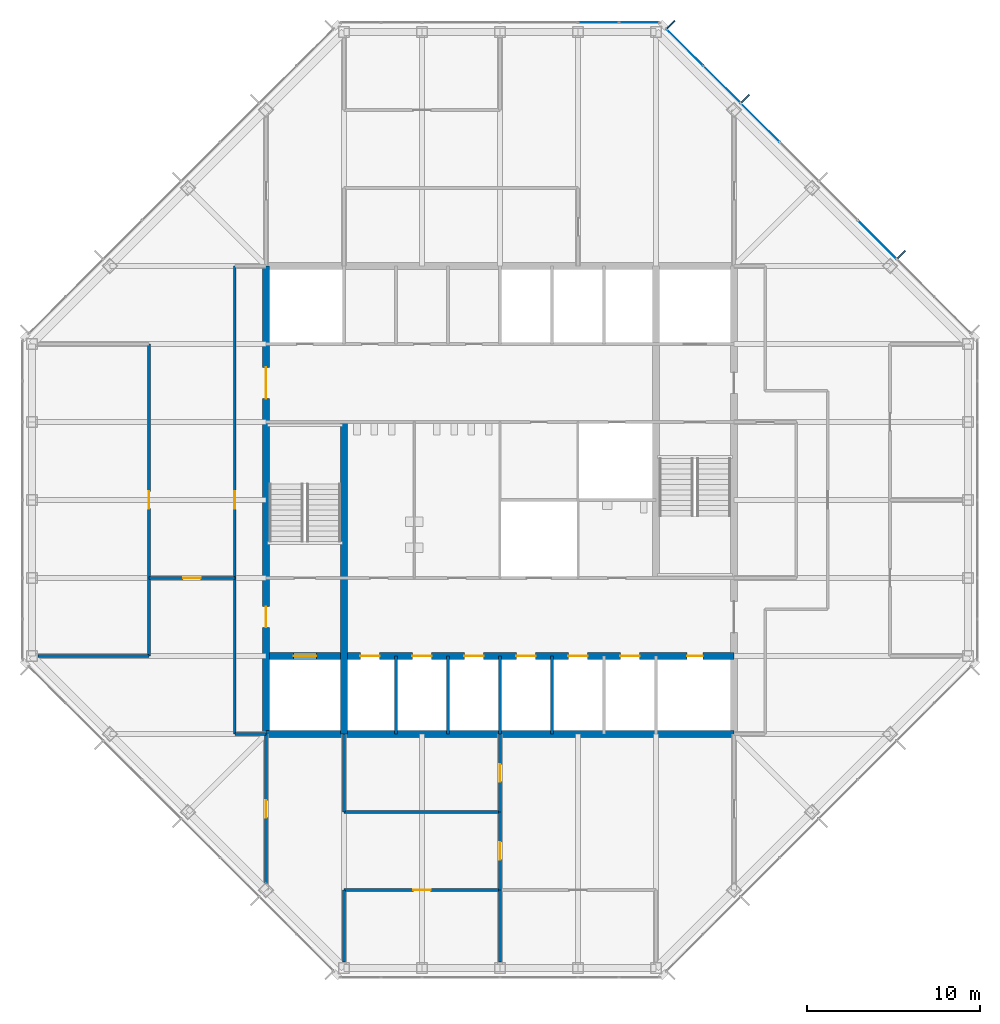
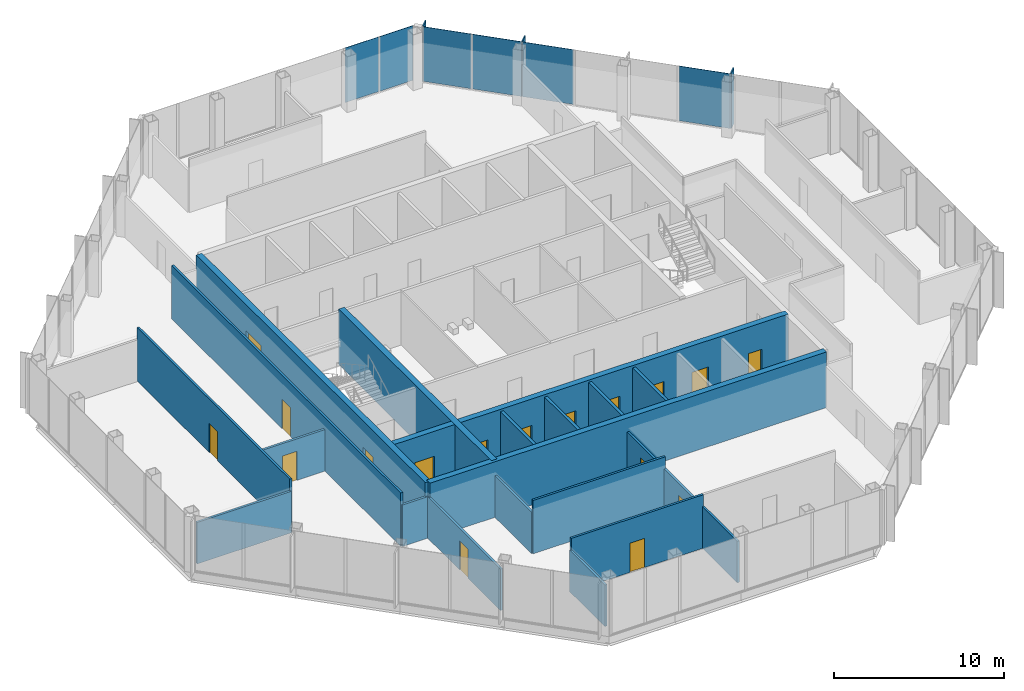
# One storey, part 9 of 13: 21 walls, 17 doors, 9 plates, 17 openings, 2 elements without a shape of their own.
"""IFC4 building model written with IfcOpenShell, lengths in metres."""

from ifc_helpers import new_model, si_unit, direction, frame, frame_2d, origin, origin_2d, place, context, subcontext, project, spatial, rectangle, extrude, material, layer, layer_set, type_object, element, fill, aggregate, save


model = new_model("IFC4")

# Units and contexts
model_context = context("Model", 3, precision=1e-05, world=origin(), true_north=direction((0.0, 1.0)))
body_context = subcontext(model_context, "Body", "Model", "MODEL_VIEW")
ifc_project = project(units=[si_unit("LENGTHUNIT", "METRE"), si_unit("AREAUNIT", "SQUARE_METRE"), si_unit("VOLUMEUNIT", "CUBIC_METRE"), si_unit("PLANEANGLEUNIT", "RADIAN"), si_unit("MASSUNIT", "GRAM", prefix="KILO")], contexts=[model_context])

# Site, building, storey
site_placement = place(None, origin())
site = spatial("IfcSite", under=ifc_project, at=site_placement, CompositionType="ELEMENT")
building_placement = place(site_placement, origin())
building = spatial("IfcBuilding", under=site, at=building_placement, Name="Corais Broadcast Tower", CompositionType="ELEMENT")
storey_placement = place(building_placement, frame((0.0, 0.0, 210.60009765625)))
storey = spatial("IfcBuildingStorey", under=building, at=storey_placement, Name="L48", CompositionType="ELEMENT", Elevation=210.60009765625)

# Curtain wall, plate
ifc_material_1 = material(Name="Aluminium and glass", Category="aluminium")
curtain_wall_type = type_object("IfcCurtainWallType", Name="Unitised fritted curtain wall CW3", PredefinedType="NOTDEFINED", material=ifc_material_1)
curtain_wall_1_placement = place(storey_placement, origin())
curtain_wall_1 = element("IfcCurtainWall", 1, at=curtain_wall_1_placement, inside=storey, type_object=curtain_wall_type, Name="CW3 curtain wall L48 4", PredefinedType="NOTDEFINED")
ifc_material_2 = material(Name="Ceramic-fritted laminated glass", Category="glass")
ifc_layer_1 = layer(ifc_material_2, 0.02587890625)
ifc_layer_set_1 = layer_set([ifc_layer_1], Name="Ceramic-fritted laminated glass")
plate_type_1 = type_object("IfcPlateType", Name="Fritted glass panel CW3", PredefinedType="CURTAIN_PANEL", material=ifc_layer_set_1)
plate_1_placement = place(storey_placement, frame((32.681884765625, 54.550048828125, 0.06494140625), z_axis=(0.0, 0.0, 1.0), x_axis=(1.0, 0.0, 0.0)))
plate_1 = element("IfcPlate", 2, at=plate_1_placement, type_object=plate_type_1, Name="CW3 panel 5", PredefinedType="CURTAIN_PANEL", context=body_context, shape_type="SweptSolid", body=[
    extrude(rectangle(XDim=2.298828125, YDim=0.02587890625, at=origin_2d()), origin(), (0.0, 0.0, 1.0), 3.93505859375),
])

# Curtain wall, plates
curtain_wall_2_placement = place(storey_placement, origin())
curtain_wall_2 = element("IfcCurtainWall", 3, at=curtain_wall_2_placement, inside=storey, type_object=curtain_wall_type, Name="CW3 curtain wall L48 5", PredefinedType="NOTDEFINED")
plate_2_placement = place(storey_placement, frame((37.669677734375, 53.108154296875, 0.06494140625), z_axis=(0.0, 0.0, 1.0), x_axis=(0.707106781187, -0.707106781187, 0.0)))
plate_2 = element("IfcPlate", 4, at=plate_2_placement, type_object=plate_type_1, Name="CW3 panel 1", PredefinedType="CURTAIN_PANEL", context=body_context, shape_type="SweptSolid", body=[
    extrude(rectangle(XDim=2.9482421875, YDim=0.02587890625, at=origin_2d()), origin(), (0.0, 0.0, 1.0), 3.93505859375),
])
plate_3_placement = place(storey_placement, frame((42.013916015625, 48.763916015625, 0.06494140625), z_axis=(0.0, 0.0, 1.0), x_axis=(0.707106781187, -0.707106781187, 0.0)))
plate_3 = element("IfcPlate", 5, at=plate_3_placement, type_object=plate_type_1, Name="CW3 panel 3", PredefinedType="CURTAIN_PANEL", context=body_context, shape_type="SweptSolid", body=[
    extrude(rectangle(XDim=3.116943359375, YDim=0.02587890625, at=origin_2d()), origin(), (0.0, 0.0, 1.0), 3.93505859375),
])

# Plate
ifc_material_3 = material(Name="Clear laminated glass", Category="glass")
ifc_layer_2 = layer(ifc_material_3, 0.030029296875)
ifc_layer_set_2 = layer_set([ifc_layer_2], Name="Clear laminated glass")
plate_type_2 = type_object("IfcPlateType", Name="Operable glass panel CW3", PredefinedType="CURTAIN_PANEL", material=ifc_layer_set_2)
plate_4_placement = place(storey_placement, frame((35.029541015625, 54.550048828125, 0.06494140625), z_axis=(0.0, 0.0, 1.0), x_axis=(1.0, 0.0, 0.0)))
plate_4 = element("IfcPlate", 6, at=plate_4_placement, type_object=plate_type_2, Name="CW3 operable panel 6", PredefinedType="CURTAIN_PANEL", context=body_context, shape_type="SweptSolid", body=[
    extrude(rectangle(XDim=2.266357421875, YDim=0.030029296875, at=origin_2d()), origin(), (0.0, 0.0, 1.0), 3.93505859375),
])

aggregate(curtain_wall_1, [plate_1, plate_4])

plate_5_placement = place(storey_placement, frame((39.81201171875, 50.9658203125, 0.06494140625), z_axis=(0.0, 0.0, 1.0), x_axis=(0.707106781187, -0.707106781187, 0.0)))
plate_5 = element("IfcPlate", 7, at=plate_5_placement, type_object=plate_type_2, Name="CW3 operable panel 2", PredefinedType="CURTAIN_PANEL", context=body_context, shape_type="SweptSolid", body=[
    extrude(rectangle(XDim=2.98095703125, YDim=0.030029296875, at=origin_2d()), origin(), (0.0, 0.0, 1.0), 3.93505859375),
])

plate_6_placement = place(storey_placement, frame((48.763916015625, 42.013916015625, 0.06494140625), z_axis=(0.0, 0.0, 1.0), x_axis=(0.707106781187, -0.707106781187, 0.0)))
plate_6 = element("IfcPlate", 8, at=plate_6_placement, type_object=plate_type_2, Name="CW3 operable panel 6", PredefinedType="CURTAIN_PANEL", context=body_context, shape_type="SweptSolid", body=[
    extrude(rectangle(XDim=3.116943359375, YDim=0.030029296875, at=origin_2d()), origin(), (0.0, 0.0, 1.0), 3.93505859375),
])

aggregate(curtain_wall_2, [plate_2, plate_5, plate_3, plate_6])

# Plates
ifc_material_4 = material(Name="Granite stone cladding", Category="masonry")
ifc_layer_3 = layer(ifc_material_4, 0.080078125)
ifc_layer_set_3 = layer_set([ifc_layer_3], Name="Granite stone cladding")
plate_type_3 = type_object("IfcPlateType", Name="Stone screen fin 80x600", PredefinedType="USERDEFINED", material=ifc_layer_set_3)
for number, where, z_axis, x_axis, name in (
    (9, (36.870849609375, 54.43994140625, 0.0), (0.0, 0.0, 1.0), (0.707106781187, -0.707106781187, 0.0), "SF1 stone screen fin L48"),
    (10, (41.155517578125, 50.155517578125, 0.0), (0.0, 0.0, 1.0), (0.707106781187, -0.707106781187, 0.0), "SF1 stone screen fin L48"),
    (11, (50.155517578125, 41.155517578125, 0.0), (0.0, 0.0, 1.0), (0.707106781187, -0.707106781187, 0.0), "SF1 stone screen fin L48"),
):
    element("IfcPlate", number, at=place(storey_placement, frame(where, z_axis=z_axis, x_axis=x_axis)), inside=storey, type_object=plate_type_3, Name=name, ObjectType="STONE SCREEN FIN", PredefinedType="USERDEFINED", context=body_context, shape_type="SweptSolid", body=[
        extrude(rectangle(XDim=0.080078125, YDim=0.60009765625, at=origin_2d()), origin(), (0.0, 0.0, 1.0), 4.0),
    ])

# Wall
ifc_material_5 = material(Name="Concrete C50/60", Category="concrete")
ifc_layer_4 = layer(ifc_material_5, 0.39990234375)
ifc_layer_set_4 = layer_set([ifc_layer_4], Name="Concrete C50/60")
wall_type_1 = type_object("IfcWallType", Name="Core wall 400", PredefinedType="SHEAR", material=ifc_layer_set_4)
wall_1_placement = place(storey_placement, frame((13.5, 13.5, 0.0), z_axis=(0.0, 0.0, 1.0), x_axis=(1.0, 0.0, 0.0)))
element("IfcWall", 12, at=wall_1_placement, inside=storey, type_object=wall_type_1, Name="CR400 core wall S L48", PredefinedType="SHEAR", context=body_context, shape_type="SweptSolid", body=[
    extrude(rectangle(XDim=27.0, YDim=0.39990234375, at=frame_2d((13.5, 0.0))), origin(), (0.0, 0.0, 1.0), 4.0),
])

# Wall, openings, doors
wall_2_placement = place(storey_placement, frame((13.5, 40.5, 0.0), z_axis=(0.0, 0.0, 1.0), x_axis=(0.0, -1.0, 0.0)))
wall_2 = element("IfcWall", 13, at=wall_2_placement, inside=storey, type_object=wall_type_1, Name="CR400 core wall W L48", PredefinedType="SHEAR", context=body_context, shape_type="SweptSolid", body=[
    extrude(rectangle(XDim=27.0, YDim=0.39990234375, at=frame_2d((13.5, 0.0))), origin(), (0.0, 0.0, 1.0), 4.0),
])
opening_1_placement = place(wall_2_placement, frame((19.64990234375, 0.0, 0.0)))
opening_1 = element("IfcOpeningElement", 14, at=opening_1_placement, cuts=wall_2, Name="Opening FD1", PredefinedType="OPENING", context=body_context, shape_type="SweptSolid", body=[
    extrude(rectangle(XDim=1.199951171875, YDim=2.10009765625, at=frame_2d((0.60009765625, 1.050048828125))), frame((0.0, 0.2099609375, 0.0), z_axis=(0.0, -1.0, 0.0), x_axis=(1.0, 0.0, 0.0)), (0.0, 0.0, 1.0), 0.419921875),
])
opening_2_placement = place(wall_2_placement, frame((5.85009765625, 0.0, 0.0)))
opening_2 = element("IfcOpeningElement", 15, at=opening_2_placement, cuts=wall_2, Name="Opening FD2", PredefinedType="OPENING", context=body_context, shape_type="SweptSolid", body=[
    extrude(rectangle(XDim=1.800048828125, YDim=2.10009765625, at=frame_2d((0.89990234375, 1.050048828125))), frame((0.0, 0.2099609375, 0.0), z_axis=(0.0, -1.0, 0.0), x_axis=(1.0, 0.0, 0.0)), (0.0, 0.0, 1.0), 0.419921875),
])
ifc_material_6 = material(Name="Steel fire door", Category="steel")
door_type_1 = type_object("IfcDoorType", Name="Fire door 1200x2100", OperationType="SINGLE_SWING_LEFT", PredefinedType="DOOR", material=ifc_material_6)
door_1_placement = place(opening_1_placement, origin())
door_1 = element("IfcDoor", 16, at=door_1_placement, inside=storey, type_object=door_type_1, Name="FD1 fire lobby A door L48", OperationType="SINGLE_SWING_RIGHT", OverallHeight=2.10009765625, OverallWidth=1.199951171875, PredefinedType="DOOR", context=body_context, shape_type="SweptSolid", body=[
    extrude(rectangle(XDim=1.199951171875, YDim=2.10009765625, at=frame_2d((0.60009765625, 1.050048828125))), frame((0.0, 0.02490234375, 0.0), z_axis=(0.0, -1.0, 0.0), x_axis=(1.0, 0.0, 0.0)), (0.0, 0.0, 1.0), 0.050048828125),
])
fill(opening_1, door_1)
ifc_material_7 = material(Name="Steel fire door", Category="steel")
door_type_2 = type_object("IfcDoorType", Name="Fire door pair 1800x2100", OperationType="DOUBLE_DOOR_SINGLE_SWING", PredefinedType="DOOR", material=ifc_material_7)
door_2_placement = place(opening_2_placement, origin())
door_2 = element("IfcDoor", 17, at=door_2_placement, inside=storey, type_object=door_type_2, Name="FD2 lift lobby door L48", OperationType="SINGLE_SWING_LEFT", OverallHeight=2.10009765625, OverallWidth=1.800048828125, PredefinedType="DOOR", context=body_context, shape_type="SweptSolid", body=[
    extrude(rectangle(XDim=1.800048828125, YDim=2.10009765625, at=frame_2d((0.89990234375, 1.050048828125))), frame((0.0, 0.02490234375, 0.0), z_axis=(0.0, -1.0, 0.0), x_axis=(1.0, 0.0, 0.0)), (0.0, 0.0, 1.0), 0.050048828125),
])
fill(opening_2, door_2)

# Wall
wall_3_placement = place(storey_placement, frame((18.0, 13.5, 0.0), z_axis=(0.0, 0.0, 1.0), x_axis=(0.0, 1.0, 0.0)))
element("IfcWall", 18, at=wall_3_placement, inside=storey, type_object=wall_type_1, Name="CR400 core wall X18A L48", PredefinedType="SHEAR", context=body_context, shape_type="SweptSolid", body=[
    extrude(rectangle(XDim=18.0, YDim=0.39990234375, at=frame_2d((9.0, 0.0))), origin(), (0.0, 0.0, 1.0), 4.0),
])

# Wall, openings, doors
wall_4_placement = place(storey_placement, frame((13.5, 18.0, 0.0), z_axis=(0.0, 0.0, 1.0), x_axis=(1.0, 0.0, 0.0)))
wall_4 = element("IfcWall", 19, at=wall_4_placement, inside=storey, type_object=wall_type_1, Name="CR400 core wall Y18 L48", PredefinedType="SHEAR", context=body_context, shape_type="SweptSolid", body=[
    extrude(rectangle(XDim=27.0, YDim=0.39990234375, at=frame_2d((13.5, 0.0))), origin(), (0.0, 0.0, 1.0), 4.0),
])
opening_3_placement = place(wall_4_placement, frame((24.300048828125, 0.0, 0.0)))
opening_3 = element("IfcOpeningElement", 20, at=opening_3_placement, cuts=wall_4, Name="Opening RD1", PredefinedType="OPENING", context=body_context, shape_type="SweptSolid", body=[
    extrude(rectangle(XDim=0.89990234375, YDim=2.10009765625, at=frame_2d((0.449951171875, 1.050048828125))), frame((0.0, 0.2099609375, 0.0), z_axis=(0.0, -1.0, 0.0), x_axis=(1.0, 0.0, 0.0)), (0.0, 0.0, 1.0), 0.419921875),
])
opening_4_placement = place(wall_4_placement, frame((5.449951171875, 0.0, 0.0)))
opening_4 = element("IfcOpeningElement", 21, at=opening_4_placement, cuts=wall_4, Name="Opening LD1", PredefinedType="OPENING", context=body_context, shape_type="SweptSolid", body=[
    extrude(rectangle(XDim=1.10009765625, YDim=2.10009765625, at=frame_2d((0.550048828125, 1.050048828125))), frame((0.0, 0.2099609375, 0.0), z_axis=(0.0, -1.0, 0.0), x_axis=(1.0, 0.0, 0.0)), (0.0, 0.0, 1.0), 0.419921875),
])
opening_5_placement = place(wall_4_placement, frame((8.449951171875, 0.0, 0.0)))
opening_5 = element("IfcOpeningElement", 22, at=opening_5_placement, cuts=wall_4, Name="Opening LD1", PredefinedType="OPENING", context=body_context, shape_type="SweptSolid", body=[
    extrude(rectangle(XDim=1.10009765625, YDim=2.10009765625, at=frame_2d((0.550048828125, 1.050048828125))), frame((0.0, 0.2099609375, 0.0), z_axis=(0.0, -1.0, 0.0), x_axis=(1.0, 0.0, 0.0)), (0.0, 0.0, 1.0), 0.419921875),
])
opening_6_placement = place(wall_4_placement, frame((11.449951171875, 0.0, 0.0)))
opening_6 = element("IfcOpeningElement", 23, at=opening_6_placement, cuts=wall_4, Name="Opening LD1", PredefinedType="OPENING", context=body_context, shape_type="SweptSolid", body=[
    extrude(rectangle(XDim=1.10009765625, YDim=2.10009765625, at=frame_2d((0.550048828125, 1.050048828125))), frame((0.0, 0.2099609375, 0.0), z_axis=(0.0, -1.0, 0.0), x_axis=(1.0, 0.0, 0.0)), (0.0, 0.0, 1.0), 0.419921875),
])
opening_7_placement = place(wall_4_placement, frame((14.449951171875, 0.0, 0.0)))
opening_7 = element("IfcOpeningElement", 24, at=opening_7_placement, cuts=wall_4, Name="Opening LD1", PredefinedType="OPENING", context=body_context, shape_type="SweptSolid", body=[
    extrude(rectangle(XDim=1.10009765625, YDim=2.10009765625, at=frame_2d((0.550048828125, 1.050048828125))), frame((0.0, 0.2099609375, 0.0), z_axis=(0.0, -1.0, 0.0), x_axis=(1.0, 0.0, 0.0)), (0.0, 0.0, 1.0), 0.419921875),
])
opening_8_placement = place(wall_4_placement, frame((17.449951171875, 0.0, 0.0)))
opening_8 = element("IfcOpeningElement", 25, at=opening_8_placement, cuts=wall_4, Name="Opening LD1", PredefinedType="OPENING", context=body_context, shape_type="SweptSolid", body=[
    extrude(rectangle(XDim=1.10009765625, YDim=2.10009765625, at=frame_2d((0.550048828125, 1.050048828125))), frame((0.0, 0.2099609375, 0.0), z_axis=(0.0, -1.0, 0.0), x_axis=(1.0, 0.0, 0.0)), (0.0, 0.0, 1.0), 0.419921875),
])
opening_9_placement = place(wall_4_placement, frame((20.449951171875, 0.0, 0.0)))
opening_9 = element("IfcOpeningElement", 26, at=opening_9_placement, cuts=wall_4, Name="Opening LD1", PredefinedType="OPENING", context=body_context, shape_type="SweptSolid", body=[
    extrude(rectangle(XDim=1.10009765625, YDim=2.10009765625, at=frame_2d((0.550048828125, 1.050048828125))), frame((0.0, 0.2099609375, 0.0), z_axis=(0.0, -1.0, 0.0), x_axis=(1.0, 0.0, 0.0)), (0.0, 0.0, 1.0), 0.419921875),
])
opening_10_placement = place(wall_4_placement, frame((1.60009765625, 0.0, 0.0)))
opening_10 = element("IfcOpeningElement", 27, at=opening_10_placement, cuts=wall_4, Name="Opening LD2", PredefinedType="OPENING", context=body_context, shape_type="SweptSolid", body=[
    extrude(rectangle(XDim=1.300048828125, YDim=2.199951171875, at=frame_2d((0.64990234375, 1.10009765625))), frame((0.0, 0.2099609375, 0.0), z_axis=(0.0, -1.0, 0.0), x_axis=(1.0, 0.0, 0.0)), (0.0, 0.0, 1.0), 0.419921875),
])
ifc_material_8 = material(Name="Stainless steel lift door", Category="steel")
door_type_3 = type_object("IfcDoorType", Name="Lift landing door 1100x2100", OperationType="SLIDING_TO_LEFT", PredefinedType="DOOR", material=ifc_material_8)
door_3_placement = place(opening_4_placement, origin())
door_3 = element("IfcDoor", 28, at=door_3_placement, inside=storey, type_object=door_type_3, Name="LD1 PH1 landing door L48", OperationType="SLIDING_TO_LEFT", OverallHeight=2.10009765625, OverallWidth=1.10009765625, PredefinedType="DOOR", context=body_context, shape_type="SweptSolid", body=[
    extrude(rectangle(XDim=1.10009765625, YDim=2.10009765625, at=frame_2d((0.550048828125, 1.050048828125))), frame((0.0, 0.02490234375, 0.0), z_axis=(0.0, -1.0, 0.0), x_axis=(1.0, 0.0, 0.0)), (0.0, 0.0, 1.0), 0.050048828125),
])
fill(opening_4, door_3)
door_4_placement = place(opening_5_placement, origin())
door_4 = element("IfcDoor", 29, at=door_4_placement, inside=storey, type_object=door_type_3, Name="LD1 PH2 landing door L48", OperationType="SLIDING_TO_LEFT", OverallHeight=2.10009765625, OverallWidth=1.10009765625, PredefinedType="DOOR", context=body_context, shape_type="SweptSolid", body=[
    extrude(rectangle(XDim=1.10009765625, YDim=2.10009765625, at=frame_2d((0.550048828125, 1.050048828125))), frame((0.0, 0.02490234375, 0.0), z_axis=(0.0, -1.0, 0.0), x_axis=(1.0, 0.0, 0.0)), (0.0, 0.0, 1.0), 0.050048828125),
])
fill(opening_5, door_4)
door_5_placement = place(opening_6_placement, origin())
door_5 = element("IfcDoor", 30, at=door_5_placement, inside=storey, type_object=door_type_3, Name="LD1 PH3 landing door L48", OperationType="SLIDING_TO_LEFT", OverallHeight=2.10009765625, OverallWidth=1.10009765625, PredefinedType="DOOR", context=body_context, shape_type="SweptSolid", body=[
    extrude(rectangle(XDim=1.10009765625, YDim=2.10009765625, at=frame_2d((0.550048828125, 1.050048828125))), frame((0.0, 0.02490234375, 0.0), z_axis=(0.0, -1.0, 0.0), x_axis=(1.0, 0.0, 0.0)), (0.0, 0.0, 1.0), 0.050048828125),
])
fill(opening_6, door_5)
door_6_placement = place(opening_7_placement, origin())
door_6 = element("IfcDoor", 31, at=door_6_placement, inside=storey, type_object=door_type_3, Name="LD1 PH4 landing door L48", OperationType="SLIDING_TO_LEFT", OverallHeight=2.10009765625, OverallWidth=1.10009765625, PredefinedType="DOOR", context=body_context, shape_type="SweptSolid", body=[
    extrude(rectangle(XDim=1.10009765625, YDim=2.10009765625, at=frame_2d((0.550048828125, 1.050048828125))), frame((0.0, 0.02490234375, 0.0), z_axis=(0.0, -1.0, 0.0), x_axis=(1.0, 0.0, 0.0)), (0.0, 0.0, 1.0), 0.050048828125),
])
fill(opening_7, door_6)
door_7_placement = place(opening_8_placement, origin())
door_7 = element("IfcDoor", 32, at=door_7_placement, inside=storey, type_object=door_type_3, Name="LD1 PH5 landing door L48", OperationType="SLIDING_TO_LEFT", OverallHeight=2.10009765625, OverallWidth=1.10009765625, PredefinedType="DOOR", context=body_context, shape_type="SweptSolid", body=[
    extrude(rectangle(XDim=1.10009765625, YDim=2.10009765625, at=frame_2d((0.550048828125, 1.050048828125))), frame((0.0, 0.02490234375, 0.0), z_axis=(0.0, -1.0, 0.0), x_axis=(1.0, 0.0, 0.0)), (0.0, 0.0, 1.0), 0.050048828125),
])
fill(opening_8, door_7)
door_8_placement = place(opening_9_placement, origin())
door_8 = element("IfcDoor", 33, at=door_8_placement, inside=storey, type_object=door_type_3, Name="LD1 PH6 landing door L48", OperationType="SLIDING_TO_LEFT", OverallHeight=2.10009765625, OverallWidth=1.10009765625, PredefinedType="DOOR", context=body_context, shape_type="SweptSolid", body=[
    extrude(rectangle(XDim=1.10009765625, YDim=2.10009765625, at=frame_2d((0.550048828125, 1.050048828125))), frame((0.0, 0.02490234375, 0.0), z_axis=(0.0, -1.0, 0.0), x_axis=(1.0, 0.0, 0.0)), (0.0, 0.0, 1.0), 0.050048828125),
])
fill(opening_9, door_8)
ifc_material_9 = material(Name="Stainless steel lift door", Category="steel")
door_type_4 = type_object("IfcDoorType", Name="Lift landing door 1300x2200", OperationType="SLIDING_TO_LEFT", PredefinedType="DOOR", material=ifc_material_9)
door_9_placement = place(opening_10_placement, origin())
door_9 = element("IfcDoor", 34, at=door_9_placement, inside=storey, type_object=door_type_4, Name="LD2 FL1 landing door L48", OperationType="SLIDING_TO_LEFT", OverallHeight=2.199951171875, OverallWidth=1.300048828125, PredefinedType="DOOR", context=body_context, shape_type="SweptSolid", body=[
    extrude(rectangle(XDim=1.300048828125, YDim=2.199951171875, at=frame_2d((0.64990234375, 1.10009765625))), frame((0.0, 0.02490234375, 0.0), z_axis=(0.0, -1.0, 0.0), x_axis=(1.0, 0.0, 0.0)), (0.0, 0.0, 1.0), 0.050048828125),
])
fill(opening_10, door_9)
ifc_material_10 = material(Name="Steel fire door", Category="steel")
door_type_5 = type_object("IfcDoorType", Name="Riser door 900x2100", OperationType="SINGLE_SWING_LEFT", PredefinedType="DOOR", material=ifc_material_10)
door_10_placement = place(opening_3_placement, origin())
door_10 = element("IfcDoor", 35, at=door_10_placement, inside=storey, type_object=door_type_5, Name="RD1 riser door L48", OperationType="SINGLE_SWING_RIGHT", OverallHeight=2.10009765625, OverallWidth=0.89990234375, PredefinedType="DOOR", context=body_context, shape_type="SweptSolid", body=[
    extrude(rectangle(XDim=0.89990234375, YDim=2.10009765625, at=frame_2d((0.449951171875, 1.050048828125))), frame((0.0, 0.02490234375, 0.0), z_axis=(0.0, -1.0, 0.0), x_axis=(1.0, 0.0, 0.0)), (0.0, 0.0, 1.0), 0.050048828125),
])
fill(opening_3, door_10)

# Wall, opening, door
ifc_material_11 = material(Name="Gypsum board on steel studs", Category="steel")
ifc_layer_5 = layer(ifc_material_11, 0.14990234375)
ifc_layer_set_5 = layer_set([ifc_layer_5], Name="Gypsum board on steel studs")
wall_type_2 = type_object("IfcWallType", Name="Partition 150", PredefinedType="PARTITIONING", material=ifc_layer_set_5)
wall_5_placement = place(storey_placement, frame((11.699951171875, 40.5, 0.0), z_axis=(0.0, 0.0, 1.0), x_axis=(0.0, -1.0, 0.0)))
wall_5 = element("IfcWall", 36, at=wall_5_placement, inside=storey, type_object=wall_type_2, Name="IW3 corridor wall L48", PredefinedType="PARTITIONING", context=body_context, shape_type="SweptSolid", body=[
    extrude(rectangle(XDim=27.0, YDim=0.14990234375, at=frame_2d((13.5, 0.0))), origin(), (0.0, 0.0, 1.0), 3.83984375),
])
opening_11_placement = place(wall_5_placement, frame((13.0, 0.0, 0.0)))
opening_11 = element("IfcOpeningElement", 37, at=opening_11_placement, cuts=wall_5, Name="Opening D1", PredefinedType="OPENING", context=body_context, shape_type="SweptSolid", body=[
    extrude(rectangle(XDim=1.0, YDim=2.10009765625, at=frame_2d((0.5, 1.050048828125))), frame((0.0, 0.0849609375, 0.0), z_axis=(0.0, -1.0, 0.0), x_axis=(1.0, 0.0, 0.0)), (0.0, 0.0, 1.0), 0.169921875),
])
ifc_material_12 = material(Name="Timber door", Category="wood")
door_type_6 = type_object("IfcDoorType", Name="Single door 1000x2100", OperationType="SINGLE_SWING_LEFT", PredefinedType="DOOR", material=ifc_material_12)
door_11_placement = place(opening_11_placement, origin())
door_11 = element("IfcDoor", 38, at=door_11_placement, inside=storey, type_object=door_type_6, Name="D1 workplace door L48", OperationType="SINGLE_SWING_LEFT", OverallHeight=2.10009765625, OverallWidth=1.0, PredefinedType="DOOR", context=body_context, shape_type="SweptSolid", body=[
    extrude(rectangle(XDim=1.0, YDim=2.10009765625, at=frame_2d((0.5, 1.050048828125))), frame((0.0, 0.02490234375, 0.0), z_axis=(0.0, -1.0, 0.0), x_axis=(1.0, 0.0, 0.0)), (0.0, 0.0, 1.0), 0.050048828125),
])
fill(opening_11, door_11)

# Walls
wall_6_placement = place(storey_placement, frame((11.699951171875, 13.5, 0.0), z_axis=(0.0, 0.0, 1.0), x_axis=(1.0, 0.0, 0.0)))
element("IfcWall", 39, at=wall_6_placement, inside=storey, type_object=wall_type_2, Name="IW3 corridor wall L48", PredefinedType="PARTITIONING", context=body_context, shape_type="SweptSolid", body=[
    extrude(rectangle(XDim=1.81005859375, YDim=0.14990234375, at=frame_2d((0.905029296875, 0.0))), origin(), (0.0, 0.0, 1.0), 2.989013671875),
])
wall_7_placement = place(storey_placement, frame((0.3349609375, 18.0, 0.0), z_axis=(0.0, 0.0, 1.0), x_axis=(1.0, 0.0, 0.0)))
element("IfcWall", 40, at=wall_7_placement, inside=storey, type_object=wall_type_2, Name="IW3 partition L48", PredefinedType="PARTITIONING", context=body_context, shape_type="SweptSolid", body=[
    extrude(rectangle(XDim=6.4150390625, YDim=0.14990234375, at=frame_2d((3.20751953125, 0.0))), origin(), (0.0, 0.0, 1.0), 2.989013671875),
])

# Wall, opening, door
wall_8_placement = place(storey_placement, frame((6.75, 18.0, 0.0), z_axis=(0.0, 0.0, 1.0), x_axis=(0.0, 1.0, 0.0)))
wall_8 = element("IfcWall", 41, at=wall_8_placement, inside=storey, type_object=wall_type_2, Name="IW3 partition L48", PredefinedType="PARTITIONING", context=body_context, shape_type="SweptSolid", body=[
    extrude(rectangle(XDim=18.0, YDim=0.14990234375, at=frame_2d((9.0, 0.0))), origin(), (0.0, 0.0, 1.0), 3.83984375),
])
opening_12_placement = place(wall_8_placement, frame((8.5, 0.0, 0.0)))
opening_12 = element("IfcOpeningElement", 42, at=opening_12_placement, cuts=wall_8, Name="Opening D1", PredefinedType="OPENING", context=body_context, shape_type="SweptSolid", body=[
    extrude(rectangle(XDim=1.0, YDim=2.10009765625, at=frame_2d((0.5, 1.050048828125))), frame((0.0, 0.0849609375, 0.0), z_axis=(0.0, -1.0, 0.0), x_axis=(1.0, 0.0, 0.0)), (0.0, 0.0, 1.0), 0.169921875),
])
door_12_placement = place(opening_12_placement, origin())
door_12 = element("IfcDoor", 43, at=door_12_placement, inside=storey, type_object=door_type_6, Name="D1 Reading room door", OperationType="SINGLE_SWING_LEFT", OverallHeight=2.10009765625, OverallWidth=1.0, PredefinedType="DOOR", context=body_context, shape_type="SweptSolid", body=[
    extrude(rectangle(XDim=1.0, YDim=2.10009765625, at=frame_2d((0.5, 1.050048828125))), frame((0.0, 0.02490234375, 0.0), z_axis=(0.0, -1.0, 0.0), x_axis=(1.0, 0.0, 0.0)), (0.0, 0.0, 1.0), 0.050048828125),
])
fill(opening_12, door_12)

# Wall
wall_9_placement = place(storey_placement, frame((18.0, 9.0, 0.0), z_axis=(0.0, 0.0, 1.0), x_axis=(1.0, 0.0, 0.0)))
element("IfcWall", 44, at=wall_9_placement, inside=storey, type_object=wall_type_2, Name="IW3 partition L48", PredefinedType="PARTITIONING", context=body_context, shape_type="SweptSolid", body=[
    extrude(rectangle(XDim=9.0, YDim=0.14990234375, at=frame_2d((4.5, 0.0))), origin(), (0.0, 0.0, 1.0), 3.83984375),
])

# Wall, opening, door
wall_10_placement = place(storey_placement, frame((27.0, 9.0, 0.0), z_axis=(0.0, 0.0, 1.0), x_axis=(0.0, 1.0, 0.0)))
wall_10 = element("IfcWall", 45, at=wall_10_placement, inside=storey, type_object=wall_type_2, Name="IW3 partition L48", PredefinedType="PARTITIONING", context=body_context, shape_type="SweptSolid", body=[
    extrude(rectangle(XDim=4.5, YDim=0.14990234375, at=frame_2d((2.25, 0.0))), origin(), (0.0, 0.0, 1.0), 2.989013671875),
])
opening_13_placement = place(wall_10_placement, frame((1.75, 0.0, 0.0)))
opening_13 = element("IfcOpeningElement", 46, at=opening_13_placement, cuts=wall_10, Name="Opening D1", PredefinedType="OPENING", context=body_context, shape_type="SweptSolid", body=[
    extrude(rectangle(XDim=1.0, YDim=2.10009765625, at=frame_2d((0.5, 1.050048828125))), frame((0.0, 0.0849609375, 0.0), z_axis=(0.0, -1.0, 0.0), x_axis=(1.0, 0.0, 0.0)), (0.0, 0.0, 1.0), 0.169921875),
])
door_13_placement = place(opening_13_placement, origin())
door_13 = element("IfcDoor", 47, at=door_13_placement, inside=storey, type_object=door_type_6, Name="D1 Meeting room door", OperationType="SINGLE_SWING_LEFT", OverallHeight=2.10009765625, OverallWidth=1.0, PredefinedType="DOOR", context=body_context, shape_type="SweptSolid", body=[
    extrude(rectangle(XDim=1.0, YDim=2.10009765625, at=frame_2d((0.5, 1.050048828125))), frame((0.0, 0.02490234375, 0.0), z_axis=(0.0, -1.0, 0.0), x_axis=(1.0, 0.0, 0.0)), (0.0, 0.0, 1.0), 0.050048828125),
])
fill(opening_13, door_13)

# Walls
wall_11_placement = place(storey_placement, frame((18.0, 13.5, 0.0), z_axis=(0.0, 0.0, 1.0), x_axis=(0.0, -1.0, 0.0)))
element("IfcWall", 48, at=wall_11_placement, inside=storey, type_object=wall_type_2, Name="IW3 partition L48", PredefinedType="PARTITIONING", context=body_context, shape_type="SweptSolid", body=[
    extrude(rectangle(XDim=4.5, YDim=0.14990234375, at=frame_2d((2.25, 0.0))), origin(), (0.0, 0.0, 1.0), 2.989013671875),
])
wall_12_placement = place(storey_placement, frame((27.0, 0.3349609375, 0.0), z_axis=(0.0, 0.0, 1.0), x_axis=(0.0, 1.0, 0.0)))
element("IfcWall", 49, at=wall_12_placement, inside=storey, type_object=wall_type_2, Name="IW3 partition L48", PredefinedType="PARTITIONING", context=body_context, shape_type="SweptSolid", body=[
    extrude(rectangle(XDim=4.1650390625, YDim=0.14990234375, at=frame_2d((2.08251953125, 0.0))), origin(), (0.0, 0.0, 1.0), 2.989013671875),
])

# Wall, opening, door
wall_13_placement = place(storey_placement, frame((27.0, 4.5, 0.0), z_axis=(0.0, 0.0, 1.0), x_axis=(-1.0, 0.0, 0.0)))
wall_13 = element("IfcWall", 50, at=wall_13_placement, inside=storey, type_object=wall_type_2, Name="IW3 partition L48", PredefinedType="PARTITIONING", context=body_context, shape_type="SweptSolid", body=[
    extrude(rectangle(XDim=9.0, YDim=0.14990234375, at=frame_2d((4.5, 0.0))), origin(), (0.0, 0.0, 1.0), 3.83984375),
])
opening_14_placement = place(wall_13_placement, frame((4.0, 0.0, 0.0)))
opening_14 = element("IfcOpeningElement", 51, at=opening_14_placement, cuts=wall_13, Name="Opening D1", PredefinedType="OPENING", context=body_context, shape_type="SweptSolid", body=[
    extrude(rectangle(XDim=1.0, YDim=2.10009765625, at=frame_2d((0.5, 1.050048828125))), frame((0.0, 0.0849609375, 0.0), z_axis=(0.0, -1.0, 0.0), x_axis=(1.0, 0.0, 0.0)), (0.0, 0.0, 1.0), 0.169921875),
])
door_14_placement = place(opening_14_placement, origin())
door_14 = element("IfcDoor", 52, at=door_14_placement, inside=storey, type_object=door_type_6, Name="D1 Media room door", OperationType="SINGLE_SWING_LEFT", OverallHeight=2.10009765625, OverallWidth=1.0, PredefinedType="DOOR", context=body_context, shape_type="SweptSolid", body=[
    extrude(rectangle(XDim=1.0, YDim=2.10009765625, at=frame_2d((0.5, 1.050048828125))), frame((0.0, 0.02490234375, 0.0), z_axis=(0.0, -1.0, 0.0), x_axis=(1.0, 0.0, 0.0)), (0.0, 0.0, 1.0), 0.050048828125),
])
fill(opening_14, door_14)

# Wall
wall_14_placement = place(storey_placement, frame((18.0, 4.5, 0.0), z_axis=(0.0, 0.0, 1.0), x_axis=(0.0, -1.0, 0.0)))
element("IfcWall", 53, at=wall_14_placement, inside=storey, type_object=wall_type_2, Name="IW3 partition L48", PredefinedType="PARTITIONING", context=body_context, shape_type="SweptSolid", body=[
    extrude(rectangle(XDim=4.1650390625, YDim=0.14990234375, at=frame_2d((2.08251953125, 0.0))), origin(), (0.0, 0.0, 1.0), 2.989013671875),
])

# Wall, opening, door
wall_15_placement = place(storey_placement, frame((27.0, 4.5, 0.0), z_axis=(0.0, 0.0, 1.0), x_axis=(0.0, 1.0, 0.0)))
wall_15 = element("IfcWall", 54, at=wall_15_placement, inside=storey, type_object=wall_type_2, Name="IW3 partition L48", PredefinedType="PARTITIONING", context=body_context, shape_type="SweptSolid", body=[
    extrude(rectangle(XDim=4.52001953125, YDim=0.14990234375, at=frame_2d((2.260009765625, 0.0))), origin(), (0.0, 0.0, 1.0), 2.989013671875),
])
opening_15_placement = place(wall_15_placement, frame((1.760009765625, 0.0, 0.0)))
opening_15 = element("IfcOpeningElement", 55, at=opening_15_placement, cuts=wall_15, Name="Opening D1", PredefinedType="OPENING", context=body_context, shape_type="SweptSolid", body=[
    extrude(rectangle(XDim=1.0, YDim=2.10009765625, at=frame_2d((0.5, 1.050048828125))), frame((0.0, 0.0849609375, 0.0), z_axis=(0.0, -1.0, 0.0), x_axis=(1.0, 0.0, 0.0)), (0.0, 0.0, 1.0), 0.169921875),
])
door_15_placement = place(opening_15_placement, origin())
door_15 = element("IfcDoor", 56, at=door_15_placement, inside=storey, type_object=door_type_6, Name="D1 team room door L48", OperationType="SINGLE_SWING_LEFT", OverallHeight=2.10009765625, OverallWidth=1.0, PredefinedType="DOOR", context=body_context, shape_type="SweptSolid", body=[
    extrude(rectangle(XDim=1.0, YDim=2.10009765625, at=frame_2d((0.5, 1.050048828125))), frame((0.0, 0.02490234375, 0.0), z_axis=(0.0, -1.0, 0.0), x_axis=(1.0, 0.0, 0.0)), (0.0, 0.0, 1.0), 0.050048828125),
])
fill(opening_15, door_15)

wall_16_placement = place(storey_placement, frame((11.699951171875, 22.5, 0.0), z_axis=(0.0, 0.0, 1.0), x_axis=(-1.0, 0.0, 0.0)))
wall_16 = element("IfcWall", 57, at=wall_16_placement, inside=storey, type_object=wall_type_2, Name="IW3 partition L48", PredefinedType="PARTITIONING", context=body_context, shape_type="SweptSolid", body=[
    extrude(rectangle(XDim=4.949951171875, YDim=0.14990234375, at=frame_2d((2.47509765625, 0.0))), origin(), (0.0, 0.0, 1.0), 2.989013671875),
])
opening_16_placement = place(wall_16_placement, frame((1.97509765625, 0.0, 0.0)))
opening_16 = element("IfcOpeningElement", 58, at=opening_16_placement, cuts=wall_16, Name="Opening D1", PredefinedType="OPENING", context=body_context, shape_type="SweptSolid", body=[
    extrude(rectangle(XDim=1.0, YDim=2.10009765625, at=frame_2d((0.5, 1.050048828125))), frame((0.0, 0.0849609375, 0.0), z_axis=(0.0, -1.0, 0.0), x_axis=(1.0, 0.0, 0.0)), (0.0, 0.0, 1.0), 0.169921875),
])
door_16_placement = place(opening_16_placement, origin())
door_16 = element("IfcDoor", 59, at=door_16_placement, inside=storey, type_object=door_type_6, Name="D1 team room door L48", OperationType="SINGLE_SWING_LEFT", OverallHeight=2.10009765625, OverallWidth=1.0, PredefinedType="DOOR", context=body_context, shape_type="SweptSolid", body=[
    extrude(rectangle(XDim=1.0, YDim=2.10009765625, at=frame_2d((0.5, 1.050048828125))), frame((0.0, 0.02490234375, 0.0), z_axis=(0.0, -1.0, 0.0), x_axis=(1.0, 0.0, 0.0)), (0.0, 0.0, 1.0), 0.050048828125),
])
fill(opening_16, door_16)

wall_17_placement = place(storey_placement, frame((13.5, 4.844970703125, 0.0), z_axis=(0.0, 0.0, 1.0), x_axis=(0.0, 1.0, 0.0)))
wall_17 = element("IfcWall", 60, at=wall_17_placement, inside=storey, type_object=wall_type_2, Name="IW3 partition L48", PredefinedType="PARTITIONING", context=body_context, shape_type="SweptSolid", body=[
    extrude(rectangle(XDim=8.655029296875, YDim=0.14990234375, at=frame_2d((4.32763671875, 0.0))), origin(), (0.0, 0.0, 1.0), 2.989013671875),
])
opening_17_placement = place(wall_17_placement, frame((3.827392578125, 0.0, 0.0)))
opening_17 = element("IfcOpeningElement", 61, at=opening_17_placement, cuts=wall_17, Name="Opening D1", PredefinedType="OPENING", context=body_context, shape_type="SweptSolid", body=[
    extrude(rectangle(XDim=1.0, YDim=2.10009765625, at=frame_2d((0.5, 1.050048828125))), frame((0.0, 0.0849609375, 0.0), z_axis=(0.0, -1.0, 0.0), x_axis=(1.0, 0.0, 0.0)), (0.0, 0.0, 1.0), 0.169921875),
])
door_17_placement = place(opening_17_placement, origin())
door_17 = element("IfcDoor", 62, at=door_17_placement, inside=storey, type_object=door_type_6, Name="D1 team room door L48", OperationType="SINGLE_SWING_LEFT", OverallHeight=2.10009765625, OverallWidth=1.0, PredefinedType="DOOR", context=body_context, shape_type="SweptSolid", body=[
    extrude(rectangle(XDim=1.0, YDim=2.10009765625, at=frame_2d((0.5, 1.050048828125))), frame((0.0, 0.02490234375, 0.0), z_axis=(0.0, -1.0, 0.0), x_axis=(1.0, 0.0, 0.0)), (0.0, 0.0, 1.0), 0.050048828125),
])
fill(opening_17, door_17)

# Walls
ifc_material_13 = material(Name="Concrete blockwork class A, grouted, two-hour", Category="masonry")
ifc_layer_6 = layer(ifc_material_13, 0.199951171875)
ifc_layer_set_6 = layer_set([ifc_layer_6], Name="Concrete blockwork class A, grouted, two-hour")
wall_type_3 = type_object("IfcWallType", Name="Shaft wall 200", PredefinedType="PARTITIONING", material=ifc_layer_set_6)
for number, where, z_axis, x_axis, name in (
    (63, (21.0, 13.5, 0.0), (0.0, 0.0, 1.0), (0.0, 1.0, 0.0), "IW1 shaft wall L48"),
    (64, (24.0, 13.5, 0.0), (0.0, 0.0, 1.0), (0.0, 1.0, 0.0), "IW1 shaft wall L48"),
    (65, (27.0, 13.5, 0.0), (0.0, 0.0, 1.0), (0.0, 1.0, 0.0), "IW1 shaft wall L48"),
    (66, (30.0, 13.5, 0.0), (0.0, 0.0, 1.0), (0.0, 1.0, 0.0), "IW1 shaft wall L48"),
):
    element("IfcWall", number, at=place(storey_placement, frame(where, z_axis=z_axis, x_axis=x_axis)), inside=storey, type_object=wall_type_3, Name=name, PredefinedType="PARTITIONING", context=body_context, shape_type="SweptSolid", body=[
        extrude(rectangle(XDim=4.5, YDim=0.199951171875, at=frame_2d((2.25, 0.0))), origin(), (0.0, 0.0, 1.0), 3.83984375),
    ])

save(model, "model.ifc")
